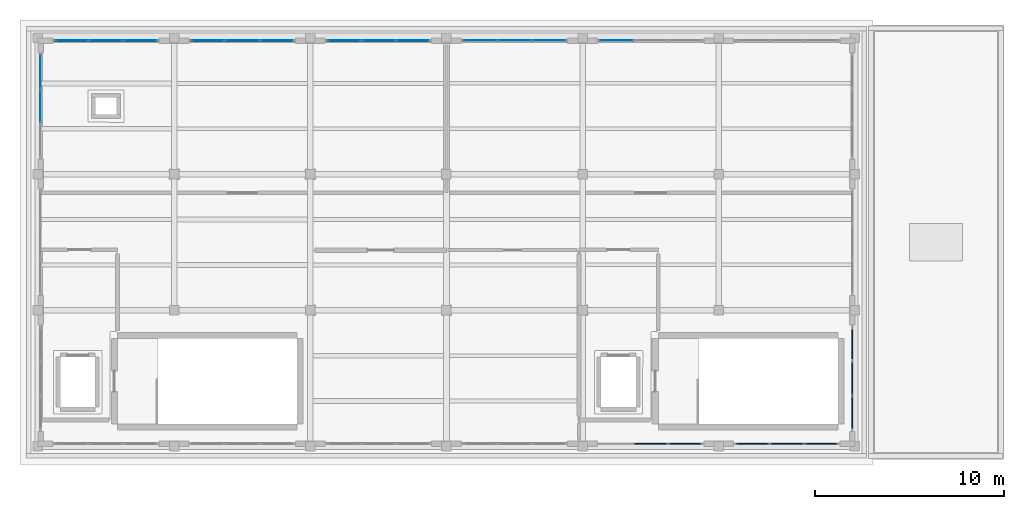
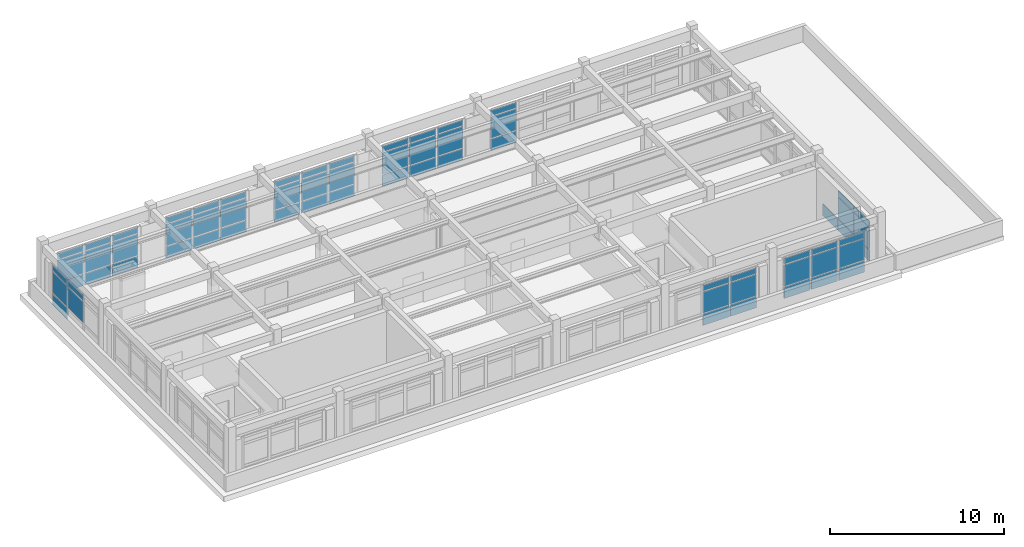
# One storey, part 9 of 12: 66 plates, 9 elements without a shape of their own.
"""IFC4 building model written with IfcOpenShell, lengths in metres."""

import ifcopenshell
import ifcopenshell.guid

model = None  # the IFC model being written
_history = None  # IfcOwnerHistory: only IFC2X3 demands one
_inside = {}  # id of a spatial element -> (the spatial element, [elements in it])
_under = {}  # id of a project, library or spatial element -> (it, [spatial elements below it])
_declared = {}  # id of a project -> (the project, [libraries it declares])
_typed = {}  # id of a type object -> (the type object, [elements of that type])
_made_of = {}  # id of a material, layer set ... -> (it, [elements and type objects made of it])


def new_model(schema):
    """Start an empty IFC model of exactly this schema.

    Asked for "IFC4X3", IfcOpenShell would pick the latest addendum, in which some entities
    have other attributes; the version numbers below select the first issue.
    IFC2X3 requires an IfcOwnerHistory on every rooted entity: one is made here for all.
    """
    global model, _history
    if schema == "IFC4X3":
        model = ifcopenshell.file(schema_version=(4, 3, 0, 0))
    else:
        model = ifcopenshell.file(schema=schema)
    _inside.clear()
    _under.clear()
    _declared.clear()
    _typed.clear()
    _made_of.clear()
    _history = None
    if model.schema == "IFC2X3":
        org = make("IfcOrganization", Name="unknown")
        user = make(
            "IfcPersonAndOrganization",
            ThePerson=make("IfcPerson", FamilyName="unknown"),
            TheOrganization=org,
        )
        app = make(
            "IfcApplication",
            ApplicationDeveloper=org,
            Version="unknown",
            ApplicationFullName="unknown",
            ApplicationIdentifier="unknown",
        )
        _history = make(
            "IfcOwnerHistory",
            OwningUser=user,
            OwningApplication=app,
            ChangeAction="ADDED",
            CreationDate=0,
        )
    return model


def make(cls, **values):
    """One entity of the class cls with the attributes given. An attribute that is None is left unset."""
    return model.create_entity(
        cls, **{name: value for name, value in values.items() if value is not None}
    )


def rooted(cls, **values):
    """An entity with a GlobalId (a new one), such as an element, a storey or a relation."""
    return make(cls, GlobalId=ifcopenshell.guid.new(), OwnerHistory=_history, **values)


def si_unit(unit_type, name, prefix=None):
    """IfcSIUnit, for example si_unit("LENGTHUNIT", "METRE", prefix="MILLI")."""
    return make("IfcSIUnit", UnitType=unit_type, Prefix=prefix, Name=name)


def assignment(units):
    """IfcUnitAssignment: the units of a project."""
    return None if units is None else make("IfcUnitAssignment", Units=units)


def point(xyz):
    """IfcCartesianPoint."""
    return None if xyz is None else make("IfcCartesianPoint", Coordinates=xyz)


def direction(xyz):
    """IfcDirection."""
    return None if xyz is None else make("IfcDirection", DirectionRatios=xyz)


def frame(location, z_axis=None, x_axis=None):
    """IfcAxis2Placement3D, a coordinate frame: its origin and axes. An axis left out is left unset."""
    return make(
        "IfcAxis2Placement3D",
        Location=point(location),
        Axis=direction(z_axis),
        RefDirection=direction(x_axis),
    )


def frame_2d(location, x_axis=None):
    """IfcAxis2Placement2D, a coordinate frame in the plane: its origin and x axis."""
    return make(
        "IfcAxis2Placement2D", Location=point(location), RefDirection=direction(x_axis)
    )


def origin():
    """The frame at (0, 0, 0) with its axes left unset."""
    return frame((0.0, 0.0, 0.0))


def origin_2d():
    """The frame at (0, 0) in the plane with its x axis left unset."""
    return frame_2d((0.0, 0.0))


def place(relative_to, where):
    """IfcLocalPlacement: puts the frame where relative to a parent placement (None: the world)."""
    return make(
        "IfcLocalPlacement", PlacementRelTo=relative_to, RelativePlacement=where
    )


def context(
    kind, dimensions, precision=None, world=None, true_north=None, identifier=None
):
    """IfcGeometricRepresentationContext, for example the 3D "Model" context."""
    return make(
        "IfcGeometricRepresentationContext",
        ContextIdentifier=identifier,
        ContextType=kind,
        CoordinateSpaceDimension=dimensions,
        Precision=precision,
        WorldCoordinateSystem=world,
        TrueNorth=true_north,
    )


def subcontext(parent, identifier, kind, view, scale=None):
    """IfcGeometricRepresentationSubContext, for example "Body" below "Model"."""
    return make(
        "IfcGeometricRepresentationSubContext",
        ContextIdentifier=identifier,
        ContextType=kind,
        ParentContext=parent,
        TargetScale=scale,
        TargetView=view,
    )


def project(units=None, contexts=None):
    """IfcProject with its units and contexts."""
    return rooted(
        "IfcProject",
        Name="project",
        RepresentationContexts=contexts,
        UnitsInContext=assignment(units),
    )


def spatial(cls, under=None, at=None, **own):
    """A site, building, storey or space (cls), placed at a placement, below another one or the project."""
    s = rooted(cls, ObjectPlacement=at, **own)
    if under is not None:
        _under.setdefault(under.id(), (under, []))[1].append(s)
    return s


def profile(cls, at=None, kind="AREA", **sizes):
    """A parametric profile (cls). Its sizes go by their IFC names, for example OverallWidth=200.0."""
    return make(cls, ProfileType=kind, Position=at, **sizes)


def rectangle(**sizes):
    """IfcRectangleProfileDef."""
    return profile("IfcRectangleProfileDef", **sizes)


def extrude(swept, where, along, depth):
    """IfcExtrudedAreaSolid: the profile swept, set in the frame where, extruded along a direction by depth."""
    return make(
        "IfcExtrudedAreaSolid",
        SweptArea=swept,
        Position=where,
        ExtrudedDirection=direction(along),
        Depth=depth,
    )


def shape(context_of_items, identifier, shape_type, items):
    """IfcShapeRepresentation: the items that make up one representation, for example the "Body"."""
    return make(
        "IfcShapeRepresentation",
        ContextOfItems=context_of_items,
        RepresentationIdentifier=identifier,
        RepresentationType=shape_type,
        Items=items,
    )


def material(Name=None, Category=None):
    """IfcMaterial."""
    return make("IfcMaterial", Name=Name, Category=Category)


def layer(
    of_material, thickness, ventilated=None, Name=None, Category=None, Priority=None
):
    """IfcMaterialLayer: one layer of a wall or slab, of a material (None: an air gap)."""
    return make(
        "IfcMaterialLayer",
        Material=of_material,
        LayerThickness=thickness,
        IsVentilated=ventilated,
        Name=Name,
        Category=Category,
        Priority=Priority,
    )


def layer_set(layers, Name=None):
    """IfcMaterialLayerSet."""
    return make("IfcMaterialLayerSet", MaterialLayers=layers, LayerSetName=Name)


def made_of(thing, what):
    """Note that an element or type object is made of a material, layer set ...; save() writes the relation."""
    if what is not None:
        _made_of.setdefault(what.id(), (what, []))[1].append(thing)
    return thing


def type_object(cls, material=None, **own):
    """A type object (cls), such as IfcWallType, which elements share."""
    return made_of(rooted(cls, **own), material)


def element(
    cls,
    number,
    at=None,
    inside=None,
    cuts=None,
    type_object=None,
    material=None,
    context=None,
    identifier="Body",
    shape_type=None,
    held_by="IfcProductDefinitionShape",
    body=None,
    shapes=None,
    **own,
):
    """One element of the class cls, such as IfcWall. Its Tag is "e" and its number.

    at: its placement. inside: the storey or other place that contains it. cuts: it is an
    opening in that element (IfcRelVoidsElement). A single representation is given by context,
    identifier, shape_type and body (its items); several are given by shapes. held_by: the class
    of the entity that holds the representations. save() writes the other relations.
    """
    e = rooted(cls, Tag="e%d" % number, ObjectPlacement=at, **own)
    if body is not None:
        shapes = [shape(context, identifier, shape_type, body)]
    if shapes is not None:
        e.Representation = make(held_by, Representations=shapes)
    if inside is not None:
        _inside.setdefault(inside.id(), (inside, []))[1].append(e)
    if cuts is not None:
        rooted(
            "IfcRelVoidsElement", RelatingBuildingElement=cuts, RelatedOpeningElement=e
        )
    if type_object is not None:
        _typed.setdefault(type_object.id(), (type_object, []))[1].append(e)
    return made_of(e, material)


def aggregate(whole, parts):
    """IfcRelAggregates: a whole, such as a stair, and the parts it consists of."""
    return rooted("IfcRelAggregates", RelatingObject=whole, RelatedObjects=parts)


def save(model, path):
    """Write the relations noted so far, then the file.

    IfcRelAggregates (storeys below a building ...), IfcRelContainedInSpatialStructure (elements
    in a storey), IfcRelDefinesByType, IfcRelAssociatesMaterial and IfcRelDeclares: one each for
    every whole, place, type object, material and project.
    """
    for whole, parts in _under.values():
        aggregate(whole, parts)
    for where, things in _inside.values():
        rooted(
            "IfcRelContainedInSpatialStructure",
            RelatedElements=things,
            RelatingStructure=where,
        )
    for kind, things in _typed.values():
        rooted("IfcRelDefinesByType", RelatedObjects=things, RelatingType=kind)
    for what, things in _made_of.values():
        rooted("IfcRelAssociatesMaterial", RelatedObjects=things, RelatingMaterial=what)
    for by, libraries in _declared.values():
        rooted("IfcRelDeclares", RelatingContext=by, RelatedDefinitions=libraries)
    model.write(path)


model = new_model("IFC4")

# Units and contexts
model_context = context("Model", 3, precision=1e-05, world=origin(), true_north=direction((0.0, 1.0)))
body_context = subcontext(model_context, "Body", "Model", "MODEL_VIEW")
ifc_project = project(units=[si_unit("LENGTHUNIT", "METRE"), si_unit("AREAUNIT", "SQUARE_METRE"), si_unit("VOLUMEUNIT", "CUBIC_METRE"), si_unit("PLANEANGLEUNIT", "RADIAN"), si_unit("MASSUNIT", "GRAM", prefix="KILO")], contexts=[model_context])

# Site, building, storey
site_placement = place(None, origin())
site = spatial("IfcSite", under=ifc_project, at=site_placement, CompositionType="ELEMENT")
building_placement = place(site_placement, origin())
building = spatial("IfcBuilding", under=site, at=building_placement, Name="Solenvale Faculty of Natural Sciences", CompositionType="ELEMENT")
storey_placement = place(building_placement, frame((0.0, 0.0, 52.199951171875)))
storey = spatial("IfcBuildingStorey", under=building, at=storey_placement, Name="RF", CompositionType="ELEMENT", Elevation=52.199951171875)

# Curtain wall, plates
ifc_material_1 = material(Name="Anodised bronze aluminium", Category="aluminium")
ifc_layer_1 = layer(ifc_material_1, 0.179931640625)
ifc_layer_set_1 = layer_set([ifc_layer_1], Name="Anodised bronze aluminium")
curtain_wall_type = type_object("IfcCurtainWallType", Name="CW-TWR-MOD", PredefinedType="USERDEFINED", material=ifc_layer_set_1)
curtain_wall_1_placement = place(storey_placement, origin())
curtain_wall_1 = element("IfcCurtainWall", 1, at=curtain_wall_1_placement, inside=storey, type_object=curtain_wall_type, Name="RF Curtain Wall CW-RF-P1-E2-B2", ObjectType="UNITISED CURTAIN WALL", PredefinedType="USERDEFINED")
ifc_material_2 = material(Name="Triple low-E insulated glass", Category="glass")
ifc_layer_2 = layer(ifc_material_2, 0.031982421875)
ifc_layer_set_2 = layer_set([ifc_layer_2], Name="Triple low-E insulated glass")
plate_type_1 = type_object("IfcPlateType", Name="CWP-PNL-32", PredefinedType="CURTAIN_PANEL", material=ifc_layer_set_2)
plate_1_placement = place(storey_placement, frame((131.385498046875, 115.0576171875, 0.074951171875), z_axis=(0.0, 0.0, 1.0), x_axis=(-1.0, 0.0, 0.0)))
plate_1 = element("IfcPlate", 2, at=plate_1_placement, type_object=plate_type_1, Name="CW-04 panel 3.1", PredefinedType="CURTAIN_PANEL", context=body_context, shape_type="SweptSolid", body=[
    extrude(rectangle(XDim=1.720947265625, YDim=0.031982421875, at=origin_2d()), origin(), (0.0, 0.0, 1.0), 0.78759765625),
])
plate_2_placement = place(storey_placement, frame((131.385498046875, 115.0576171875, 0.9375), z_axis=(0.0, 0.0, 1.0), x_axis=(-1.0, 0.0, 0.0)))
plate_2 = element("IfcPlate", 3, at=plate_2_placement, type_object=plate_type_1, Name="CW-04 panel 3.2", PredefinedType="CURTAIN_PANEL", context=body_context, shape_type="SweptSolid", body=[
    extrude(rectangle(XDim=1.720947265625, YDim=0.031982421875, at=origin_2d()), origin(), (0.0, 0.0, 1.0), 1.485107421875),
])
plate_3_placement = place(storey_placement, frame((131.385498046875, 115.0576171875, 2.49755859375), z_axis=(0.0, 0.0, 1.0), x_axis=(-1.0, 0.0, 0.0)))
plate_3 = element("IfcPlate", 4, at=plate_3_placement, type_object=plate_type_1, Name="CW-04 panel 3.3", PredefinedType="CURTAIN_PANEL", context=body_context, shape_type="SweptSolid", body=[
    extrude(rectangle(XDim=1.720947265625, YDim=0.031982421875, at=origin_2d()), origin(), (0.0, 0.0, 1.0), 0.387451171875),
])
aggregate(curtain_wall_1, [plate_1, plate_2, plate_3])

curtain_wall_2_placement = place(storey_placement, origin())
curtain_wall_2 = element("IfcCurtainWall", 5, at=curtain_wall_2_placement, inside=storey, type_object=curtain_wall_type, Name="RF Curtain Wall CW-RF-P1-E3-B1", ObjectType="UNITISED CURTAIN WALL", PredefinedType="USERDEFINED")
plate_4_placement = place(storey_placement, frame((100.9423828125, 113.41455078125, 0.074951171875), z_axis=(0.0, 0.0, 1.0), x_axis=(0.0, -1.0, 0.0)))
plate_4 = element("IfcPlate", 6, at=plate_4_placement, type_object=plate_type_1, Name="CW-04 panel 1.1", PredefinedType="CURTAIN_PANEL", context=body_context, shape_type="SweptSolid", body=[
    extrude(rectangle(XDim=1.720947265625, YDim=0.031982421875, at=origin_2d()), origin(), (0.0, 0.0, 1.0), 0.78759765625),
])
plate_5_placement = place(storey_placement, frame((100.9423828125, 113.41455078125, 0.9375), z_axis=(0.0, 0.0, 1.0), x_axis=(0.0, -1.0, 0.0)))
plate_5 = element("IfcPlate", 7, at=plate_5_placement, type_object=plate_type_1, Name="CW-04 panel 1.2", PredefinedType="CURTAIN_PANEL", context=body_context, shape_type="SweptSolid", body=[
    extrude(rectangle(XDim=1.720947265625, YDim=0.031982421875, at=origin_2d()), origin(), (0.0, 0.0, 1.0), 1.485107421875),
])
plate_6_placement = place(storey_placement, frame((100.9423828125, 113.41455078125, 2.49755859375), z_axis=(0.0, 0.0, 1.0), x_axis=(0.0, -1.0, 0.0)))
plate_6 = element("IfcPlate", 8, at=plate_6_placement, type_object=plate_type_1, Name="CW-04 panel 1.3", PredefinedType="CURTAIN_PANEL", context=body_context, shape_type="SweptSolid", body=[
    extrude(rectangle(XDim=1.720947265625, YDim=0.031982421875, at=origin_2d()), origin(), (0.0, 0.0, 1.0), 0.387451171875),
])
plate_7_placement = place(storey_placement, frame((100.9423828125, 111.60009765625, 0.9375), z_axis=(0.0, 0.0, 1.0), x_axis=(0.0, -1.0, 0.0)))
plate_7 = element("IfcPlate", 9, at=plate_7_placement, type_object=plate_type_1, Name="CW-04 panel 2.2", PredefinedType="CURTAIN_PANEL", context=body_context, shape_type="SweptSolid", body=[
    extrude(rectangle(XDim=1.75830078125, YDim=0.031982421875, at=origin_2d()), origin(), (0.0, 0.0, 1.0), 1.485107421875),
])
plate_8_placement = place(storey_placement, frame((100.9423828125, 111.60009765625, 2.49755859375), z_axis=(0.0, 0.0, 1.0), x_axis=(0.0, -1.0, 0.0)))
plate_8 = element("IfcPlate", 10, at=plate_8_placement, type_object=plate_type_1, Name="CW-04 panel 2.3", PredefinedType="CURTAIN_PANEL", context=body_context, shape_type="SweptSolid", body=[
    extrude(rectangle(XDim=1.75830078125, YDim=0.031982421875, at=origin_2d()), origin(), (0.0, 0.0, 1.0), 0.387451171875),
])
aggregate(curtain_wall_2, [plate_4, plate_5, plate_6, plate_7, plate_8])

curtain_wall_3_placement = place(storey_placement, origin())
curtain_wall_3 = element("IfcCurtainWall", 11, at=curtain_wall_3_placement, inside=storey, type_object=curtain_wall_type, Name="RF Curtain Wall CW-RF-P1-E2-B3", ObjectType="UNITISED CURTAIN WALL", PredefinedType="USERDEFINED")
ifc_layer_3 = layer(ifc_material_2, 0.035888671875)
ifc_layer_set_3 = layer_set([ifc_layer_3], Name="Triple low-E insulated glass")
plate_type_2 = type_object("IfcPlateType", Name="CWP-PNL-36", PredefinedType="CURTAIN_PANEL", material=ifc_layer_set_3)
plate_9_placement = place(storey_placement, frame((127.814697265625, 115.0576171875, 0.074951171875), z_axis=(0.0, 0.0, 1.0), x_axis=(-1.0, 0.0, 0.0)))
plate_9 = element("IfcPlate", 12, at=plate_9_placement, type_object=plate_type_2, Name="CW-04 panel 1.1", PredefinedType="CURTAIN_PANEL", context=body_context, shape_type="SweptSolid", body=[
    extrude(rectangle(XDim=1.720947265625, YDim=0.035888671875, at=origin_2d()), origin(), (0.0, 0.0, 1.0), 0.78759765625),
])
plate_10_placement = place(storey_placement, frame((127.814697265625, 115.0576171875, 0.9375), z_axis=(0.0, 0.0, 1.0), x_axis=(-1.0, 0.0, 0.0)))
plate_10 = element("IfcPlate", 13, at=plate_10_placement, type_object=plate_type_2, Name="CW-04 panel 1.2", PredefinedType="CURTAIN_PANEL", context=body_context, shape_type="SweptSolid", body=[
    extrude(rectangle(XDim=1.720947265625, YDim=0.035888671875, at=origin_2d()), origin(), (0.0, 0.0, 1.0), 1.485107421875),
])
plate_11_placement = place(storey_placement, frame((127.814697265625, 115.0576171875, 2.49755859375), z_axis=(0.0, 0.0, 1.0), x_axis=(-1.0, 0.0, 0.0)))
plate_11 = element("IfcPlate", 14, at=plate_11_placement, type_object=plate_type_2, Name="CW-04 panel 1.3", PredefinedType="CURTAIN_PANEL", context=body_context, shape_type="SweptSolid", body=[
    extrude(rectangle(XDim=1.720947265625, YDim=0.035888671875, at=origin_2d()), origin(), (0.0, 0.0, 1.0), 0.387451171875),
])
plate_12_placement = place(storey_placement, frame((126.0, 115.0576171875, 0.074951171875), z_axis=(0.0, 0.0, 1.0), x_axis=(-1.0, 0.0, 0.0)))
plate_12 = element("IfcPlate", 15, at=plate_12_placement, type_object=plate_type_2, Name="CW-04 panel 2.1", PredefinedType="CURTAIN_PANEL", context=body_context, shape_type="SweptSolid", body=[
    extrude(rectangle(XDim=1.75830078125, YDim=0.035888671875, at=origin_2d()), origin(), (0.0, 0.0, 1.0), 0.78759765625),
])
plate_13_placement = place(storey_placement, frame((126.0, 115.0576171875, 0.9375), z_axis=(0.0, 0.0, 1.0), x_axis=(-1.0, 0.0, 0.0)))
plate_13 = element("IfcPlate", 16, at=plate_13_placement, type_object=plate_type_2, Name="CW-04 panel 2.2", PredefinedType="CURTAIN_PANEL", context=body_context, shape_type="SweptSolid", body=[
    extrude(rectangle(XDim=1.75830078125, YDim=0.035888671875, at=origin_2d()), origin(), (0.0, 0.0, 1.0), 1.485107421875),
])
plate_14_placement = place(storey_placement, frame((126.0, 115.0576171875, 2.49755859375), z_axis=(0.0, 0.0, 1.0), x_axis=(-1.0, 0.0, 0.0)))
plate_14 = element("IfcPlate", 17, at=plate_14_placement, type_object=plate_type_2, Name="CW-04 panel 2.3", PredefinedType="CURTAIN_PANEL", context=body_context, shape_type="SweptSolid", body=[
    extrude(rectangle(XDim=1.75830078125, YDim=0.035888671875, at=origin_2d()), origin(), (0.0, 0.0, 1.0), 0.387451171875),
])
plate_15_placement = place(storey_placement, frame((124.185302734375, 115.0576171875, 0.074951171875), z_axis=(0.0, 0.0, 1.0), x_axis=(-1.0, 0.0, 0.0)))
plate_15 = element("IfcPlate", 18, at=plate_15_placement, type_object=plate_type_2, Name="CW-04 panel 3.1", PredefinedType="CURTAIN_PANEL", context=body_context, shape_type="SweptSolid", body=[
    extrude(rectangle(XDim=1.720947265625, YDim=0.035888671875, at=origin_2d()), origin(), (0.0, 0.0, 1.0), 0.78759765625),
])
plate_16_placement = place(storey_placement, frame((124.185302734375, 115.0576171875, 0.9375), z_axis=(0.0, 0.0, 1.0), x_axis=(-1.0, 0.0, 0.0)))
plate_16 = element("IfcPlate", 19, at=plate_16_placement, type_object=plate_type_2, Name="CW-04 panel 3.2", PredefinedType="CURTAIN_PANEL", context=body_context, shape_type="SweptSolid", body=[
    extrude(rectangle(XDim=1.720947265625, YDim=0.035888671875, at=origin_2d()), origin(), (0.0, 0.0, 1.0), 1.485107421875),
])
plate_17_placement = place(storey_placement, frame((124.185302734375, 115.0576171875, 2.49755859375), z_axis=(0.0, 0.0, 1.0), x_axis=(-1.0, 0.0, 0.0)))
plate_17 = element("IfcPlate", 20, at=plate_17_placement, type_object=plate_type_2, Name="CW-04 panel 3.3", PredefinedType="CURTAIN_PANEL", context=body_context, shape_type="SweptSolid", body=[
    extrude(rectangle(XDim=1.720947265625, YDim=0.035888671875, at=origin_2d()), origin(), (0.0, 0.0, 1.0), 0.387451171875),
])
aggregate(curtain_wall_3, [plate_9, plate_10, plate_11, plate_12, plate_13, plate_14, plate_15, plate_16, plate_17])

curtain_wall_4_placement = place(storey_placement, origin())
curtain_wall_4 = element("IfcCurtainWall", 21, at=curtain_wall_4_placement, inside=storey, type_object=curtain_wall_type, Name="RF Curtain Wall CW-RF-P1-E2-B4", ObjectType="UNITISED CURTAIN WALL", PredefinedType="USERDEFINED")
ifc_layer_4 = layer(ifc_material_2, 0.0400390625)
ifc_layer_set_4 = layer_set([ifc_layer_4], Name="Triple low-E insulated glass")
plate_type_3 = type_object("IfcPlateType", Name="CWP-PNL-40", PredefinedType="CURTAIN_PANEL", material=ifc_layer_set_4)
plate_18_placement = place(storey_placement, frame((120.614501953125, 115.0576171875, 0.074951171875), z_axis=(0.0, 0.0, 1.0), x_axis=(-1.0, 0.0, 0.0)))
plate_18 = element("IfcPlate", 22, at=plate_18_placement, type_object=plate_type_3, Name="CW-04 panel 1.1", PredefinedType="CURTAIN_PANEL", context=body_context, shape_type="SweptSolid", body=[
    extrude(rectangle(XDim=1.720947265625, YDim=0.0400390625, at=origin_2d()), origin(), (0.0, 0.0, 1.0), 0.78759765625),
])
plate_19_placement = place(storey_placement, frame((120.614501953125, 115.0576171875, 0.9375), z_axis=(0.0, 0.0, 1.0), x_axis=(-1.0, 0.0, 0.0)))
plate_19 = element("IfcPlate", 23, at=plate_19_placement, type_object=plate_type_3, Name="CW-04 panel 1.2", PredefinedType="CURTAIN_PANEL", context=body_context, shape_type="SweptSolid", body=[
    extrude(rectangle(XDim=1.720947265625, YDim=0.0400390625, at=origin_2d()), origin(), (0.0, 0.0, 1.0), 1.485107421875),
])
plate_20_placement = place(storey_placement, frame((120.614501953125, 115.0576171875, 2.49755859375), z_axis=(0.0, 0.0, 1.0), x_axis=(-1.0, 0.0, 0.0)))
plate_20 = element("IfcPlate", 24, at=plate_20_placement, type_object=plate_type_3, Name="CW-04 panel 1.3", PredefinedType="CURTAIN_PANEL", context=body_context, shape_type="SweptSolid", body=[
    extrude(rectangle(XDim=1.720947265625, YDim=0.0400390625, at=origin_2d()), origin(), (0.0, 0.0, 1.0), 0.387451171875),
])
plate_21_placement = place(storey_placement, frame((118.800048828125, 115.0576171875, 0.074951171875), z_axis=(0.0, 0.0, 1.0), x_axis=(-1.0, 0.0, 0.0)))
plate_21 = element("IfcPlate", 25, at=plate_21_placement, type_object=plate_type_3, Name="CW-04 panel 2.1", PredefinedType="CURTAIN_PANEL", context=body_context, shape_type="SweptSolid", body=[
    extrude(rectangle(XDim=1.75830078125, YDim=0.0400390625, at=origin_2d()), origin(), (0.0, 0.0, 1.0), 0.78759765625),
])
plate_22_placement = place(storey_placement, frame((118.800048828125, 115.0576171875, 0.9375), z_axis=(0.0, 0.0, 1.0), x_axis=(-1.0, 0.0, 0.0)))
plate_22 = element("IfcPlate", 26, at=plate_22_placement, type_object=plate_type_3, Name="CW-04 panel 2.2", PredefinedType="CURTAIN_PANEL", context=body_context, shape_type="SweptSolid", body=[
    extrude(rectangle(XDim=1.75830078125, YDim=0.0400390625, at=origin_2d()), origin(), (0.0, 0.0, 1.0), 1.485107421875),
])
plate_23_placement = place(storey_placement, frame((118.800048828125, 115.0576171875, 2.49755859375), z_axis=(0.0, 0.0, 1.0), x_axis=(-1.0, 0.0, 0.0)))
plate_23 = element("IfcPlate", 27, at=plate_23_placement, type_object=plate_type_3, Name="CW-04 panel 2.3", PredefinedType="CURTAIN_PANEL", context=body_context, shape_type="SweptSolid", body=[
    extrude(rectangle(XDim=1.75830078125, YDim=0.0400390625, at=origin_2d()), origin(), (0.0, 0.0, 1.0), 0.387451171875),
])
plate_24_placement = place(storey_placement, frame((116.9853515625, 115.0576171875, 0.074951171875), z_axis=(0.0, 0.0, 1.0), x_axis=(-1.0, 0.0, 0.0)))
plate_24 = element("IfcPlate", 28, at=plate_24_placement, type_object=plate_type_3, Name="CW-04 panel 3.1", PredefinedType="CURTAIN_PANEL", context=body_context, shape_type="SweptSolid", body=[
    extrude(rectangle(XDim=1.720947265625, YDim=0.0400390625, at=origin_2d()), origin(), (0.0, 0.0, 1.0), 0.78759765625),
])
plate_25_placement = place(storey_placement, frame((116.9853515625, 115.0576171875, 0.9375), z_axis=(0.0, 0.0, 1.0), x_axis=(-1.0, 0.0, 0.0)))
plate_25 = element("IfcPlate", 29, at=plate_25_placement, type_object=plate_type_3, Name="CW-04 panel 3.2", PredefinedType="CURTAIN_PANEL", context=body_context, shape_type="SweptSolid", body=[
    extrude(rectangle(XDim=1.720947265625, YDim=0.0400390625, at=origin_2d()), origin(), (0.0, 0.0, 1.0), 1.485107421875),
])
plate_26_placement = place(storey_placement, frame((116.9853515625, 115.0576171875, 2.49755859375), z_axis=(0.0, 0.0, 1.0), x_axis=(-1.0, 0.0, 0.0)))
plate_26 = element("IfcPlate", 30, at=plate_26_placement, type_object=plate_type_3, Name="CW-04 panel 3.3", PredefinedType="CURTAIN_PANEL", context=body_context, shape_type="SweptSolid", body=[
    extrude(rectangle(XDim=1.720947265625, YDim=0.0400390625, at=origin_2d()), origin(), (0.0, 0.0, 1.0), 0.387451171875),
])
aggregate(curtain_wall_4, [plate_18, plate_19, plate_20, plate_21, plate_22, plate_23, plate_24, plate_25, plate_26])

curtain_wall_5_placement = place(storey_placement, origin())
curtain_wall_5 = element("IfcCurtainWall", 31, at=curtain_wall_5_placement, inside=storey, type_object=curtain_wall_type, Name="RF Curtain Wall CW-RF-P1-E2-B5", ObjectType="UNITISED CURTAIN WALL", PredefinedType="USERDEFINED")
ifc_layer_5 = layer(ifc_material_2, 0.0439453125)
ifc_layer_set_5 = layer_set([ifc_layer_5], Name="Triple low-E insulated glass")
plate_type_4 = type_object("IfcPlateType", Name="CWP-PNL-44", PredefinedType="CURTAIN_PANEL", material=ifc_layer_set_5)
plate_27_placement = place(storey_placement, frame((113.41455078125, 115.0576171875, 0.074951171875), z_axis=(0.0, 0.0, 1.0), x_axis=(-1.0, 0.0, 0.0)))
plate_27 = element("IfcPlate", 32, at=plate_27_placement, type_object=plate_type_4, Name="CW-04 panel 1.1", PredefinedType="CURTAIN_PANEL", context=body_context, shape_type="SweptSolid", body=[
    extrude(rectangle(XDim=1.720947265625, YDim=0.0439453125, at=origin_2d()), origin(), (0.0, 0.0, 1.0), 0.78759765625),
])
plate_28_placement = place(storey_placement, frame((113.41455078125, 115.0576171875, 0.9375), z_axis=(0.0, 0.0, 1.0), x_axis=(-1.0, 0.0, 0.0)))
plate_28 = element("IfcPlate", 33, at=plate_28_placement, type_object=plate_type_4, Name="CW-04 panel 1.2", PredefinedType="CURTAIN_PANEL", context=body_context, shape_type="SweptSolid", body=[
    extrude(rectangle(XDim=1.720947265625, YDim=0.0439453125, at=origin_2d()), origin(), (0.0, 0.0, 1.0), 1.485107421875),
])
plate_29_placement = place(storey_placement, frame((113.41455078125, 115.0576171875, 2.49755859375), z_axis=(0.0, 0.0, 1.0), x_axis=(-1.0, 0.0, 0.0)))
plate_29 = element("IfcPlate", 34, at=plate_29_placement, type_object=plate_type_4, Name="CW-04 panel 1.3", PredefinedType="CURTAIN_PANEL", context=body_context, shape_type="SweptSolid", body=[
    extrude(rectangle(XDim=1.720947265625, YDim=0.0439453125, at=origin_2d()), origin(), (0.0, 0.0, 1.0), 0.387451171875),
])
plate_30_placement = place(storey_placement, frame((111.60009765625, 115.0576171875, 0.074951171875), z_axis=(0.0, 0.0, 1.0), x_axis=(-1.0, 0.0, 0.0)))
plate_30 = element("IfcPlate", 35, at=plate_30_placement, type_object=plate_type_4, Name="CW-04 panel 2.1", PredefinedType="CURTAIN_PANEL", context=body_context, shape_type="SweptSolid", body=[
    extrude(rectangle(XDim=1.75830078125, YDim=0.0439453125, at=origin_2d()), origin(), (0.0, 0.0, 1.0), 0.78759765625),
])
plate_31_placement = place(storey_placement, frame((111.60009765625, 115.0576171875, 0.9375), z_axis=(0.0, 0.0, 1.0), x_axis=(-1.0, 0.0, 0.0)))
plate_31 = element("IfcPlate", 36, at=plate_31_placement, type_object=plate_type_4, Name="CW-04 panel 2.2", PredefinedType="CURTAIN_PANEL", context=body_context, shape_type="SweptSolid", body=[
    extrude(rectangle(XDim=1.75830078125, YDim=0.0439453125, at=origin_2d()), origin(), (0.0, 0.0, 1.0), 1.485107421875),
])
plate_32_placement = place(storey_placement, frame((111.60009765625, 115.0576171875, 2.49755859375), z_axis=(0.0, 0.0, 1.0), x_axis=(-1.0, 0.0, 0.0)))
plate_32 = element("IfcPlate", 37, at=plate_32_placement, type_object=plate_type_4, Name="CW-04 panel 2.3", PredefinedType="CURTAIN_PANEL", context=body_context, shape_type="SweptSolid", body=[
    extrude(rectangle(XDim=1.75830078125, YDim=0.0439453125, at=origin_2d()), origin(), (0.0, 0.0, 1.0), 0.387451171875),
])
plate_33_placement = place(storey_placement, frame((109.785400390625, 115.0576171875, 0.074951171875), z_axis=(0.0, 0.0, 1.0), x_axis=(-1.0, 0.0, 0.0)))
plate_33 = element("IfcPlate", 38, at=plate_33_placement, type_object=plate_type_4, Name="CW-04 panel 3.1", PredefinedType="CURTAIN_PANEL", context=body_context, shape_type="SweptSolid", body=[
    extrude(rectangle(XDim=1.720947265625, YDim=0.0439453125, at=origin_2d()), origin(), (0.0, 0.0, 1.0), 0.78759765625),
])
plate_34_placement = place(storey_placement, frame((109.785400390625, 115.0576171875, 0.9375), z_axis=(0.0, 0.0, 1.0), x_axis=(-1.0, 0.0, 0.0)))
plate_34 = element("IfcPlate", 39, at=plate_34_placement, type_object=plate_type_4, Name="CW-04 panel 3.2", PredefinedType="CURTAIN_PANEL", context=body_context, shape_type="SweptSolid", body=[
    extrude(rectangle(XDim=1.720947265625, YDim=0.0439453125, at=origin_2d()), origin(), (0.0, 0.0, 1.0), 1.485107421875),
])
plate_35_placement = place(storey_placement, frame((109.785400390625, 115.0576171875, 2.49755859375), z_axis=(0.0, 0.0, 1.0), x_axis=(-1.0, 0.0, 0.0)))
plate_35 = element("IfcPlate", 40, at=plate_35_placement, type_object=plate_type_4, Name="CW-04 panel 3.3", PredefinedType="CURTAIN_PANEL", context=body_context, shape_type="SweptSolid", body=[
    extrude(rectangle(XDim=1.720947265625, YDim=0.0439453125, at=origin_2d()), origin(), (0.0, 0.0, 1.0), 0.387451171875),
])
aggregate(curtain_wall_5, [plate_27, plate_28, plate_29, plate_30, plate_31, plate_32, plate_33, plate_34, plate_35])

curtain_wall_6_placement = place(storey_placement, origin())
curtain_wall_6 = element("IfcCurtainWall", 41, at=curtain_wall_6_placement, inside=storey, type_object=curtain_wall_type, Name="RF Curtain Wall CW-RF-P1-E2-B6", ObjectType="UNITISED CURTAIN WALL", PredefinedType="USERDEFINED")
ifc_layer_6 = layer(ifc_material_1, 0.048095703125)
ifc_layer_set_6 = layer_set([ifc_layer_6], Name="Anodised bronze aluminium")
plate_type_5 = type_object("IfcPlateType", Name="CWP-PNL-48", PredefinedType="CURTAIN_PANEL", material=ifc_layer_set_6)
plate_36_placement = place(storey_placement, frame((106.214599609375, 115.0576171875, 0.074951171875), z_axis=(0.0, 0.0, 1.0), x_axis=(-1.0, 0.0, 0.0)))
plate_36 = element("IfcPlate", 42, at=plate_36_placement, type_object=plate_type_5, Name="CW-04 panel 1.1", PredefinedType="CURTAIN_PANEL", context=body_context, shape_type="SweptSolid", body=[
    extrude(rectangle(XDim=1.720947265625, YDim=0.048095703125, at=origin_2d()), origin(), (0.0, 0.0, 1.0), 0.78759765625),
])
plate_37_placement = place(storey_placement, frame((106.214599609375, 115.0576171875, 0.9375), z_axis=(0.0, 0.0, 1.0), x_axis=(-1.0, 0.0, 0.0)))
plate_37 = element("IfcPlate", 43, at=plate_37_placement, type_object=plate_type_5, Name="CW-04 panel 1.2", PredefinedType="CURTAIN_PANEL", context=body_context, shape_type="SweptSolid", body=[
    extrude(rectangle(XDim=1.720947265625, YDim=0.048095703125, at=origin_2d()), origin(), (0.0, 0.0, 1.0), 1.485107421875),
])
plate_38_placement = place(storey_placement, frame((106.214599609375, 115.0576171875, 2.49755859375), z_axis=(0.0, 0.0, 1.0), x_axis=(-1.0, 0.0, 0.0)))
plate_38 = element("IfcPlate", 44, at=plate_38_placement, type_object=plate_type_5, Name="CW-04 panel 1.3", PredefinedType="CURTAIN_PANEL", context=body_context, shape_type="SweptSolid", body=[
    extrude(rectangle(XDim=1.720947265625, YDim=0.048095703125, at=origin_2d()), origin(), (0.0, 0.0, 1.0), 0.387451171875),
])
plate_39_placement = place(storey_placement, frame((104.39990234375, 115.0576171875, 0.074951171875), z_axis=(0.0, 0.0, 1.0), x_axis=(-1.0, 0.0, 0.0)))
plate_39 = element("IfcPlate", 45, at=plate_39_placement, type_object=plate_type_5, Name="CW-04 panel 2.1", PredefinedType="CURTAIN_PANEL", context=body_context, shape_type="SweptSolid", body=[
    extrude(rectangle(XDim=1.75830078125, YDim=0.048095703125, at=origin_2d()), origin(), (0.0, 0.0, 1.0), 0.78759765625),
])
plate_40_placement = place(storey_placement, frame((104.39990234375, 115.0576171875, 0.9375), z_axis=(0.0, 0.0, 1.0), x_axis=(-1.0, 0.0, 0.0)))
plate_40 = element("IfcPlate", 46, at=plate_40_placement, type_object=plate_type_5, Name="CW-04 panel 2.2", PredefinedType="CURTAIN_PANEL", context=body_context, shape_type="SweptSolid", body=[
    extrude(rectangle(XDim=1.75830078125, YDim=0.048095703125, at=origin_2d()), origin(), (0.0, 0.0, 1.0), 1.485107421875),
])
plate_41_placement = place(storey_placement, frame((104.39990234375, 115.0576171875, 2.49755859375), z_axis=(0.0, 0.0, 1.0), x_axis=(-1.0, 0.0, 0.0)))
plate_41 = element("IfcPlate", 47, at=plate_41_placement, type_object=plate_type_5, Name="CW-04 panel 2.3", PredefinedType="CURTAIN_PANEL", context=body_context, shape_type="SweptSolid", body=[
    extrude(rectangle(XDim=1.75830078125, YDim=0.048095703125, at=origin_2d()), origin(), (0.0, 0.0, 1.0), 0.387451171875),
])
plate_42_placement = place(storey_placement, frame((102.58544921875, 115.0576171875, 0.074951171875), z_axis=(0.0, 0.0, 1.0), x_axis=(-1.0, 0.0, 0.0)))
plate_42 = element("IfcPlate", 48, at=plate_42_placement, type_object=plate_type_5, Name="CW-04 panel 3.1", PredefinedType="CURTAIN_PANEL", context=body_context, shape_type="SweptSolid", body=[
    extrude(rectangle(XDim=1.720947265625, YDim=0.048095703125, at=origin_2d()), origin(), (0.0, 0.0, 1.0), 0.78759765625),
])
plate_43_placement = place(storey_placement, frame((102.58544921875, 115.0576171875, 0.9375), z_axis=(0.0, 0.0, 1.0), x_axis=(-1.0, 0.0, 0.0)))
plate_43 = element("IfcPlate", 49, at=plate_43_placement, type_object=plate_type_5, Name="CW-04 panel 3.2", PredefinedType="CURTAIN_PANEL", context=body_context, shape_type="SweptSolid", body=[
    extrude(rectangle(XDim=1.720947265625, YDim=0.048095703125, at=origin_2d()), origin(), (0.0, 0.0, 1.0), 1.485107421875),
])
plate_44_placement = place(storey_placement, frame((102.58544921875, 115.0576171875, 2.49755859375), z_axis=(0.0, 0.0, 1.0), x_axis=(-1.0, 0.0, 0.0)))
plate_44 = element("IfcPlate", 50, at=plate_44_placement, type_object=plate_type_5, Name="CW-04 panel 3.3", PredefinedType="CURTAIN_PANEL", context=body_context, shape_type="SweptSolid", body=[
    extrude(rectangle(XDim=1.720947265625, YDim=0.048095703125, at=origin_2d()), origin(), (0.0, 0.0, 1.0), 0.387451171875),
])
aggregate(curtain_wall_6, [plate_36, plate_37, plate_38, plate_39, plate_40, plate_41, plate_42, plate_43, plate_44])

curtain_wall_7_placement = place(storey_placement, origin())
curtain_wall_7 = element("IfcCurtainWall", 51, at=curtain_wall_7_placement, inside=storey, type_object=curtain_wall_type, Name="RF Curtain Wall CW-RF-P1-E4-B5", ObjectType="UNITISED CURTAIN WALL", PredefinedType="USERDEFINED")
ifc_layer_7 = layer(ifc_material_1, 0.053955078125)
ifc_layer_set_7 = layer_set([ifc_layer_7], Name="Anodised bronze aluminium")
plate_type_6 = type_object("IfcPlateType", Name="CWP-PNL-54", PredefinedType="CURTAIN_PANEL", material=ifc_layer_set_7)
plate_45_placement = place(storey_placement, frame((133.199951171875, 93.742431640625, 0.074951171875), z_axis=(0.0, 0.0, 1.0), x_axis=(1.0, 0.0, 0.0)))
plate_45 = element("IfcPlate", 52, at=plate_45_placement, type_object=plate_type_6, Name="CW-04 panel 2.1", PredefinedType="CURTAIN_PANEL", context=body_context, shape_type="SweptSolid", body=[
    extrude(rectangle(XDim=1.75830078125, YDim=0.053955078125, at=origin_2d()), origin(), (0.0, 0.0, 1.0), 0.78759765625),
])
plate_46_placement = place(storey_placement, frame((133.199951171875, 93.742431640625, 0.9375), z_axis=(0.0, 0.0, 1.0), x_axis=(1.0, 0.0, 0.0)))
plate_46 = element("IfcPlate", 53, at=plate_46_placement, type_object=plate_type_6, Name="CW-04 panel 2.2", PredefinedType="CURTAIN_PANEL", context=body_context, shape_type="SweptSolid", body=[
    extrude(rectangle(XDim=1.75830078125, YDim=0.053955078125, at=origin_2d()), origin(), (0.0, 0.0, 1.0), 1.485107421875),
])
plate_47_placement = place(storey_placement, frame((133.199951171875, 93.742431640625, 2.49755859375), z_axis=(0.0, 0.0, 1.0), x_axis=(1.0, 0.0, 0.0)))
plate_47 = element("IfcPlate", 54, at=plate_47_placement, type_object=plate_type_6, Name="CW-04 panel 2.3", PredefinedType="CURTAIN_PANEL", context=body_context, shape_type="SweptSolid", body=[
    extrude(rectangle(XDim=1.75830078125, YDim=0.053955078125, at=origin_2d()), origin(), (0.0, 0.0, 1.0), 0.387451171875),
])
plate_48_placement = place(storey_placement, frame((135.0146484375, 93.742431640625, 0.074951171875), z_axis=(0.0, 0.0, 1.0), x_axis=(1.0, 0.0, 0.0)))
plate_48 = element("IfcPlate", 55, at=plate_48_placement, type_object=plate_type_6, Name="CW-04 panel 3.1", PredefinedType="CURTAIN_PANEL", context=body_context, shape_type="SweptSolid", body=[
    extrude(rectangle(XDim=1.720947265625, YDim=0.053955078125, at=origin_2d()), origin(), (0.0, 0.0, 1.0), 0.78759765625),
])
plate_49_placement = place(storey_placement, frame((135.0146484375, 93.742431640625, 0.9375), z_axis=(0.0, 0.0, 1.0), x_axis=(1.0, 0.0, 0.0)))
plate_49 = element("IfcPlate", 56, at=plate_49_placement, type_object=plate_type_6, Name="CW-04 panel 3.2", PredefinedType="CURTAIN_PANEL", context=body_context, shape_type="SweptSolid", body=[
    extrude(rectangle(XDim=1.720947265625, YDim=0.053955078125, at=origin_2d()), origin(), (0.0, 0.0, 1.0), 1.485107421875),
])
plate_50_placement = place(storey_placement, frame((135.0146484375, 93.742431640625, 2.49755859375), z_axis=(0.0, 0.0, 1.0), x_axis=(1.0, 0.0, 0.0)))
plate_50 = element("IfcPlate", 57, at=plate_50_placement, type_object=plate_type_6, Name="CW-04 panel 3.3", PredefinedType="CURTAIN_PANEL", context=body_context, shape_type="SweptSolid", body=[
    extrude(rectangle(XDim=1.720947265625, YDim=0.053955078125, at=origin_2d()), origin(), (0.0, 0.0, 1.0), 0.387451171875),
])
aggregate(curtain_wall_7, [plate_45, plate_46, plate_47, plate_48, plate_49, plate_50])

curtain_wall_8_placement = place(storey_placement, origin())
curtain_wall_8 = element("IfcCurtainWall", 58, at=curtain_wall_8_placement, inside=storey, type_object=curtain_wall_type, Name="RF Curtain Wall CW-RF-P1-E1-B1", ObjectType="UNITISED CURTAIN WALL", PredefinedType="USERDEFINED")
ifc_layer_8 = layer(ifc_material_1, 0.06005859375)
ifc_layer_set_8 = layer_set([ifc_layer_8], Name="Anodised bronze aluminium")
plate_type_7 = type_object("IfcPlateType", Name="CWP-PNL-60", PredefinedType="CURTAIN_PANEL", material=ifc_layer_set_8)
plate_51_placement = place(storey_placement, frame((143.857421875, 95.385498046875, 0.074951171875), z_axis=(0.0, 0.0, 1.0), x_axis=(0.0, 1.0, 0.0)))
plate_51 = element("IfcPlate", 59, at=plate_51_placement, type_object=plate_type_7, Name="CW-04 panel 1.1", PredefinedType="CURTAIN_PANEL", context=body_context, shape_type="SweptSolid", body=[
    extrude(rectangle(XDim=1.720947265625, YDim=0.06005859375, at=origin_2d()), origin(), (0.0, 0.0, 1.0), 0.78759765625),
])
plate_52_placement = place(storey_placement, frame((143.857421875, 95.385498046875, 0.9375), z_axis=(0.0, 0.0, 1.0), x_axis=(0.0, 1.0, 0.0)))
plate_52 = element("IfcPlate", 60, at=plate_52_placement, type_object=plate_type_7, Name="CW-04 panel 1.2", PredefinedType="CURTAIN_PANEL", context=body_context, shape_type="SweptSolid", body=[
    extrude(rectangle(XDim=1.720947265625, YDim=0.06005859375, at=origin_2d()), origin(), (0.0, 0.0, 1.0), 1.485107421875),
])
plate_53_placement = place(storey_placement, frame((143.857421875, 95.385498046875, 2.49755859375), z_axis=(0.0, 0.0, 1.0), x_axis=(0.0, 1.0, 0.0)))
plate_53 = element("IfcPlate", 61, at=plate_53_placement, type_object=plate_type_7, Name="CW-04 panel 1.3", PredefinedType="CURTAIN_PANEL", context=body_context, shape_type="SweptSolid", body=[
    extrude(rectangle(XDim=1.720947265625, YDim=0.06005859375, at=origin_2d()), origin(), (0.0, 0.0, 1.0), 0.387451171875),
])
plate_54_placement = place(storey_placement, frame((143.857421875, 97.199951171875, 0.074951171875), z_axis=(0.0, 0.0, 1.0), x_axis=(0.0, 1.0, 0.0)))
plate_54 = element("IfcPlate", 62, at=plate_54_placement, type_object=plate_type_7, Name="CW-04 panel 2.1", PredefinedType="CURTAIN_PANEL", context=body_context, shape_type="SweptSolid", body=[
    extrude(rectangle(XDim=1.75830078125, YDim=0.06005859375, at=origin_2d()), origin(), (0.0, 0.0, 1.0), 0.78759765625),
])
plate_55_placement = place(storey_placement, frame((143.857421875, 97.199951171875, 0.9375), z_axis=(0.0, 0.0, 1.0), x_axis=(0.0, 1.0, 0.0)))
plate_55 = element("IfcPlate", 63, at=plate_55_placement, type_object=plate_type_7, Name="CW-04 panel 2.2", PredefinedType="CURTAIN_PANEL", context=body_context, shape_type="SweptSolid", body=[
    extrude(rectangle(XDim=1.75830078125, YDim=0.06005859375, at=origin_2d()), origin(), (0.0, 0.0, 1.0), 1.485107421875),
])
plate_56_placement = place(storey_placement, frame((143.857421875, 97.199951171875, 2.49755859375), z_axis=(0.0, 0.0, 1.0), x_axis=(0.0, 1.0, 0.0)))
plate_56 = element("IfcPlate", 64, at=plate_56_placement, type_object=plate_type_7, Name="CW-04 panel 2.3", PredefinedType="CURTAIN_PANEL", context=body_context, shape_type="SweptSolid", body=[
    extrude(rectangle(XDim=1.75830078125, YDim=0.06005859375, at=origin_2d()), origin(), (0.0, 0.0, 1.0), 0.387451171875),
])
plate_57_placement = place(storey_placement, frame((143.857421875, 99.0146484375, 0.074951171875), z_axis=(0.0, 0.0, 1.0), x_axis=(0.0, 1.0, 0.0)))
plate_57 = element("IfcPlate", 65, at=plate_57_placement, type_object=plate_type_7, Name="CW-04 panel 3.1", PredefinedType="CURTAIN_PANEL", context=body_context, shape_type="SweptSolid", body=[
    extrude(rectangle(XDim=1.720947265625, YDim=0.06005859375, at=origin_2d()), origin(), (0.0, 0.0, 1.0), 0.78759765625),
])
aggregate(curtain_wall_8, [plate_51, plate_52, plate_53, plate_54, plate_55, plate_56, plate_57])

curtain_wall_9_placement = place(storey_placement, origin())
curtain_wall_9 = element("IfcCurtainWall", 66, at=curtain_wall_9_placement, inside=storey, type_object=curtain_wall_type, Name="RF Curtain Wall CW-RF-P1-E4-B6", ObjectType="UNITISED CURTAIN WALL", PredefinedType="USERDEFINED")
plate_58_placement = place(storey_placement, frame((138.58544921875, 93.742431640625, 0.074951171875), z_axis=(0.0, 0.0, 1.0), x_axis=(1.0, 0.0, 0.0)))
plate_58 = element("IfcPlate", 67, at=plate_58_placement, type_object=plate_type_7, Name="CW-04 panel 1.1", PredefinedType="CURTAIN_PANEL", context=body_context, shape_type="SweptSolid", body=[
    extrude(rectangle(XDim=1.720947265625, YDim=0.06005859375, at=origin_2d()), origin(), (0.0, 0.0, 1.0), 0.78759765625),
])
plate_59_placement = place(storey_placement, frame((138.58544921875, 93.742431640625, 0.9375), z_axis=(0.0, 0.0, 1.0), x_axis=(1.0, 0.0, 0.0)))
plate_59 = element("IfcPlate", 68, at=plate_59_placement, type_object=plate_type_7, Name="CW-04 panel 1.2", PredefinedType="CURTAIN_PANEL", context=body_context, shape_type="SweptSolid", body=[
    extrude(rectangle(XDim=1.720947265625, YDim=0.06005859375, at=origin_2d()), origin(), (0.0, 0.0, 1.0), 1.485107421875),
])
plate_60_placement = place(storey_placement, frame((138.58544921875, 93.742431640625, 2.49755859375), z_axis=(0.0, 0.0, 1.0), x_axis=(1.0, 0.0, 0.0)))
plate_60 = element("IfcPlate", 69, at=plate_60_placement, type_object=plate_type_7, Name="CW-04 panel 1.3", PredefinedType="CURTAIN_PANEL", context=body_context, shape_type="SweptSolid", body=[
    extrude(rectangle(XDim=1.720947265625, YDim=0.06005859375, at=origin_2d()), origin(), (0.0, 0.0, 1.0), 0.387451171875),
])
plate_61_placement = place(storey_placement, frame((140.39990234375, 93.742431640625, 0.074951171875), z_axis=(0.0, 0.0, 1.0), x_axis=(1.0, 0.0, 0.0)))
plate_61 = element("IfcPlate", 70, at=plate_61_placement, type_object=plate_type_7, Name="CW-04 panel 2.1", PredefinedType="CURTAIN_PANEL", context=body_context, shape_type="SweptSolid", body=[
    extrude(rectangle(XDim=1.75830078125, YDim=0.06005859375, at=origin_2d()), origin(), (0.0, 0.0, 1.0), 0.78759765625),
])
plate_62_placement = place(storey_placement, frame((140.39990234375, 93.742431640625, 0.9375), z_axis=(0.0, 0.0, 1.0), x_axis=(1.0, 0.0, 0.0)))
plate_62 = element("IfcPlate", 71, at=plate_62_placement, type_object=plate_type_7, Name="CW-04 panel 2.2", PredefinedType="CURTAIN_PANEL", context=body_context, shape_type="SweptSolid", body=[
    extrude(rectangle(XDim=1.75830078125, YDim=0.06005859375, at=origin_2d()), origin(), (0.0, 0.0, 1.0), 1.485107421875),
])
plate_63_placement = place(storey_placement, frame((140.39990234375, 93.742431640625, 2.49755859375), z_axis=(0.0, 0.0, 1.0), x_axis=(1.0, 0.0, 0.0)))
plate_63 = element("IfcPlate", 72, at=plate_63_placement, type_object=plate_type_7, Name="CW-04 panel 2.3", PredefinedType="CURTAIN_PANEL", context=body_context, shape_type="SweptSolid", body=[
    extrude(rectangle(XDim=1.75830078125, YDim=0.06005859375, at=origin_2d()), origin(), (0.0, 0.0, 1.0), 0.387451171875),
])
plate_64_placement = place(storey_placement, frame((142.214599609375, 93.742431640625, 0.074951171875), z_axis=(0.0, 0.0, 1.0), x_axis=(1.0, 0.0, 0.0)))
plate_64 = element("IfcPlate", 73, at=plate_64_placement, type_object=plate_type_7, Name="CW-04 panel 3.1", PredefinedType="CURTAIN_PANEL", context=body_context, shape_type="SweptSolid", body=[
    extrude(rectangle(XDim=1.720947265625, YDim=0.06005859375, at=origin_2d()), origin(), (0.0, 0.0, 1.0), 0.78759765625),
])
plate_65_placement = place(storey_placement, frame((142.214599609375, 93.742431640625, 0.9375), z_axis=(0.0, 0.0, 1.0), x_axis=(1.0, 0.0, 0.0)))
plate_65 = element("IfcPlate", 74, at=plate_65_placement, type_object=plate_type_7, Name="CW-04 panel 3.2", PredefinedType="CURTAIN_PANEL", context=body_context, shape_type="SweptSolid", body=[
    extrude(rectangle(XDim=1.720947265625, YDim=0.06005859375, at=origin_2d()), origin(), (0.0, 0.0, 1.0), 1.485107421875),
])
plate_66_placement = place(storey_placement, frame((142.214599609375, 93.742431640625, 2.49755859375), z_axis=(0.0, 0.0, 1.0), x_axis=(1.0, 0.0, 0.0)))
plate_66 = element("IfcPlate", 75, at=plate_66_placement, type_object=plate_type_7, Name="CW-04 panel 3.3", PredefinedType="CURTAIN_PANEL", context=body_context, shape_type="SweptSolid", body=[
    extrude(rectangle(XDim=1.720947265625, YDim=0.06005859375, at=origin_2d()), origin(), (0.0, 0.0, 1.0), 0.387451171875),
])
aggregate(curtain_wall_9, [plate_58, plate_59, plate_60, plate_61, plate_62, plate_63, plate_64, plate_65, plate_66])

save(model, "model.ifc")
